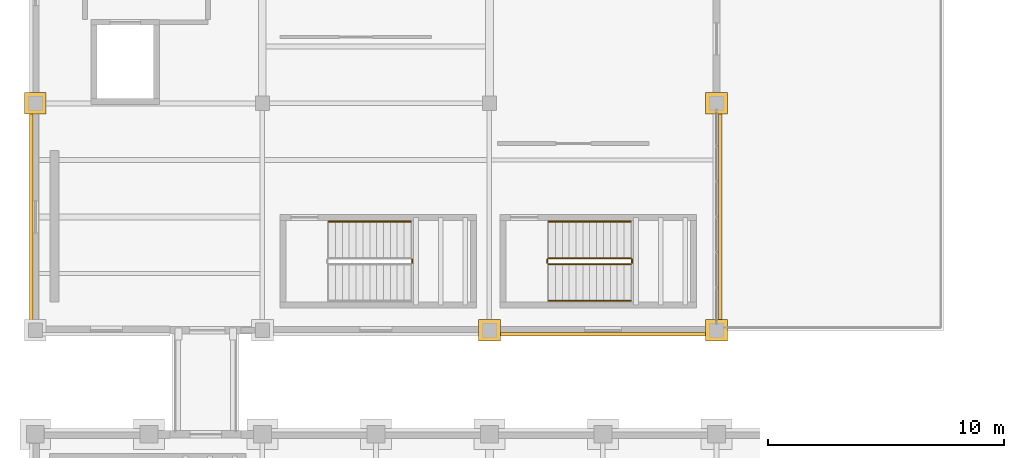
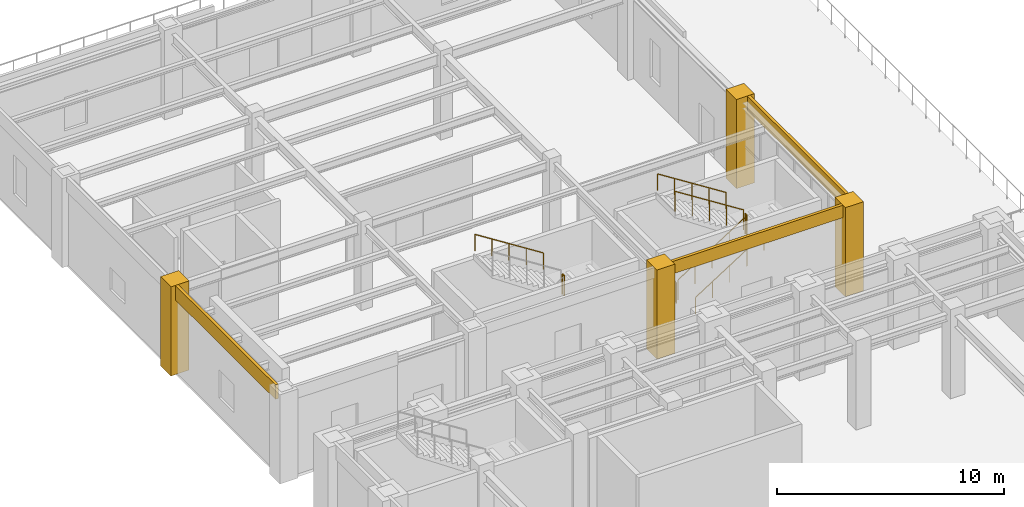
# One storey, part 77 of 83: 8 railings, 7 coverings.
"""IFC4 building model written with IfcOpenShell, lengths in metres."""

from ifc_helpers import new_model, si_unit, direction, frame, origin, origin_2d, place, context, subcontext, project, spatial, polyline, circle, outline, extrude, material, layer, layer_set, type_object, element, save


model = new_model("IFC4")

# Units and contexts
model_context = context("Model", 3, precision=1e-05, world=origin(), true_north=direction((0.0, 1.0)))
body_context = subcontext(model_context, "Body", "Model", "MODEL_VIEW")
ifc_project = project(units=[si_unit("LENGTHUNIT", "METRE"), si_unit("AREAUNIT", "SQUARE_METRE"), si_unit("VOLUMEUNIT", "CUBIC_METRE"), si_unit("PLANEANGLEUNIT", "RADIAN"), si_unit("MASSUNIT", "GRAM", prefix="KILO")], contexts=[model_context])

# Site, building, storey
site_placement = place(None, origin())
site = spatial("IfcSite", under=ifc_project, at=site_placement, CompositionType="ELEMENT")
building_placement = place(site_placement, origin())
building = spatial("IfcBuilding", under=site, at=building_placement, Name="Mavantir Sound Aquarium", CompositionType="ELEMENT")
storey_placement = place(building_placement, frame((0.0, 0.0, 10.5)))
storey = spatial("IfcBuildingStorey", under=building, at=storey_placement, Name="L02", CompositionType="ELEMENT", Elevation=10.5)

# Coverings
ifc_material_1 = material(Name="Honed Coral-Limestone & Glazed Terracotta Rainscreen Cladding", Category="masonry")
ifc_layer = layer(ifc_material_1, 0.06005859375, Name="Honed Coral-Limestone & Glazed Terracotta Rainscreen Cladding")
ifc_layer_set = layer_set([ifc_layer], Name="Honed Coral-Limestone & Glazed Terracotta Rainscreen Cladding")
covering_type = type_object("IfcCoveringType", Name="COV-CLAD-TC", PredefinedType="CLADDING", material=ifc_layer_set)
covering_1_placement = place(storey_placement, frame((0.0, 0.0, 4.01904296875)))
element("IfcCovering", 1, at=covering_1_placement, inside=storey, type_object=covering_type, Name="L02 Postmodern coral-limestone spandrel frieze 376", PredefinedType="CLADDING", context=body_context, shape_type="SweptSolid", body=[
    extrude(outline(polyline([(28.889892578125, 83.907958984375), (28.889892578125, 92.89208984375), (29.0400390625, 92.89208984375), (29.0400390625, 83.907958984375), (28.889892578125, 83.907958984375)])), origin(), (0.0, 0.0, 1.0), 0.781005859375),
])
covering_2_placement = place(storey_placement, frame((0.0, 0.0, 4.01904296875)))
element("IfcCovering", 2, at=covering_2_placement, inside=storey, type_object=covering_type, Name="L02 Postmodern coral-limestone spandrel frieze 385", PredefinedType="CLADDING", context=body_context, shape_type="SweptSolid", body=[
    extrude(outline(polyline([(-0.090087890625, 92.89208984375), (-0.090087890625, 83.907958984375), (-0.239990234375, 83.907958984375), (-0.239990234375, 92.89208984375), (-0.090087890625, 92.89208984375)])), origin(), (0.0, 0.0, 1.0), 0.781005859375),
])
covering_3_placement = place(storey_placement, frame((0.0, 0.0, 4.1279296875)))
element("IfcCovering", 3, at=covering_3_placement, inside=storey, type_object=covering_type, Name="L02 Postmodern coral-limestone spandrel frieze 388", PredefinedType="CLADDING", context=body_context, shape_type="SweptSolid", body=[
    extrude(outline(polyline([(19.508056640625, 83.510009765625), (28.491943359375, 83.510009765625), (28.491943359375, 83.360107421875), (19.508056640625, 83.360107421875), (19.508056640625, 83.510009765625)])), origin(), (0.0, 0.0, 1.0), 0.672119140625),
])
covering_4_placement = place(storey_placement, origin())
element("IfcCovering", 4, at=covering_4_placement, inside=storey, type_object=covering_type, Name="L02 Postmodern coral-limestone pilaster casing 351", PredefinedType="CLADDING", context=body_context, shape_type="SweptSolid", body=[
    extrude(outline(polyline([(-0.4599609375, 92.739990234375), (0.4599609375, 92.739990234375), (0.4599609375, 93.659912109375), (-0.4599609375, 93.659912109375), (-0.4599609375, 92.739990234375)])), origin(), (0.0, 0.0, 1.0), 4.800048828125),
])
covering_5_placement = place(storey_placement, origin())
element("IfcCovering", 5, at=covering_5_placement, inside=storey, type_object=covering_type, Name="L02 Postmodern coral-limestone pilaster casing 380", PredefinedType="CLADDING", context=body_context, shape_type="SweptSolid", body=[
    extrude(outline(polyline([(18.739990234375, 83.139892578125), (19.659912109375, 83.139892578125), (19.659912109375, 84.06005859375), (18.739990234375, 84.06005859375), (18.739990234375, 83.139892578125)])), origin(), (0.0, 0.0, 1.0), 4.800048828125),
])
covering_6_placement = place(storey_placement, origin())
element("IfcCovering", 6, at=covering_6_placement, inside=storey, type_object=covering_type, Name="L02 Postmodern coral-limestone pilaster casing 392", PredefinedType="CLADDING", context=body_context, shape_type="SweptSolid", body=[
    extrude(outline(polyline([(28.340087890625, 83.139892578125), (29.260009765625, 83.139892578125), (29.260009765625, 84.06005859375), (28.340087890625, 84.06005859375), (28.340087890625, 83.139892578125)])), origin(), (0.0, 0.0, 1.0), 4.800048828125),
])
covering_7_placement = place(storey_placement, origin())
element("IfcCovering", 7, at=covering_7_placement, inside=storey, type_object=covering_type, Name="L02 Postmodern coral-limestone pilaster casing 396", PredefinedType="CLADDING", context=body_context, shape_type="SweptSolid", body=[
    extrude(outline(polyline([(28.340087890625, 92.739990234375), (29.260009765625, 92.739990234375), (29.260009765625, 93.659912109375), (28.340087890625, 93.659912109375), (28.340087890625, 92.739990234375)])), origin(), (0.0, 0.0, 1.0), 4.800048828125),
])

# Railings
ifc_material_2 = material(Name="Stainless Steel 316 and Laminated Glass Guardrail", Category="steel")
railing_type_1 = type_object("IfcRailingType", Name="RL-GUARD-110", PredefinedType="GUARDRAIL", material=ifc_material_2)
railing_1_placement = place(storey_placement, frame((15.929931640625, 86.449951171875, 2.39990234375)))
element("IfcRailing", 8, at=railing_1_placement, inside=storey, type_object=railing_type_1, Name="L02 ST5 stair guard 2", PredefinedType="GUARDRAIL", context=body_context, shape_type="SweptSolid", body=[
    extrude(circle(Radius=0.02392578125, at=origin_2d()), frame((0.0, 0.0, 1.076171875), z_axis=(0.0, 1.0, 0.0), x_axis=(-1.0, 0.0, 0.0)), (0.0, 0.0, 1.0), 0.150146484375),
    extrude(circle(Radius=0.02099609375, at=origin_2d()), origin(), (0.0, 0.0, 1.0), 1.052001953125),
    extrude(circle(Radius=0.02099609375, at=origin_2d()), frame((0.0, 0.150146484375, 0.0)), (0.0, 0.0, 1.0), 1.052001953125),
])
railing_2_placement = place(storey_placement, frame((21.699951171875, 86.39990234375, 0.1845703125)))
element("IfcRailing", 9, at=railing_2_placement, inside=storey, type_object=railing_type_1, Name="L02 ST7 stair guard 1", PredefinedType="GUARDRAIL", context=body_context, shape_type="SweptSolid", body=[
    extrude(circle(Radius=0.02392578125, at=origin_2d()), frame((0.0, 0.0, 1.076171875), z_axis=(0.843573748531, 0.0, 0.537013343214), x_axis=(0.0, 1.0, 0.0)), (0.0, 0.0, 1.0), 4.125244140625),
    extrude(circle(Radius=0.02099609375, at=origin_2d()), origin(), (0.0, 0.0, 1.0), 1.052001953125),
    extrude(circle(Radius=0.02099609375, at=origin_2d()), frame((0.8701171875, 0.0, 0.5537109375)), (0.0, 0.0, 1.0), 1.052001953125),
    extrude(circle(Radius=0.02099609375, at=origin_2d()), frame((1.739990234375, 0.0, 1.107666015625)), (0.0, 0.0, 1.0), 1.052001953125),
    extrude(circle(Radius=0.02099609375, at=origin_2d()), frame((2.60986328125, 0.0, 1.66162109375)), (0.0, 0.0, 1.0), 1.052001953125),
    extrude(circle(Radius=0.02099609375, at=origin_2d()), frame((3.47998046875, 0.0, 2.21533203125)), (0.0, 0.0, 1.0), 1.052001953125),
])
railing_3_placement = place(storey_placement, frame((25.22998046875, 86.449951171875, 2.39990234375)))
element("IfcRailing", 10, at=railing_3_placement, inside=storey, type_object=railing_type_1, Name="L02 ST7 stair guard 2", PredefinedType="GUARDRAIL", context=body_context, shape_type="SweptSolid", body=[
    extrude(circle(Radius=0.02392578125, at=origin_2d()), frame((0.0, 0.0, 1.076171875), z_axis=(0.0, 1.0, 0.0), x_axis=(-1.0, 0.0, 0.0)), (0.0, 0.0, 1.0), 0.150146484375),
    extrude(circle(Radius=0.02099609375, at=origin_2d()), origin(), (0.0, 0.0, 1.0), 1.052001953125),
    extrude(circle(Radius=0.02099609375, at=origin_2d()), frame((0.0, 0.150146484375, 0.0)), (0.0, 0.0, 1.0), 1.052001953125),
])
railing_4_placement = place(storey_placement, frame((25.179931640625, 86.64990234375, 2.584716796875)))
element("IfcRailing", 11, at=railing_4_placement, inside=storey, type_object=railing_type_1, Name="L02 ST7 stair guard 3", PredefinedType="GUARDRAIL", context=body_context, shape_type="SweptSolid", body=[
    extrude(circle(Radius=0.02392578125, at=origin_2d()), frame((0.0, 0.0, 1.076171875), z_axis=(-0.843573748531, 0.0, 0.537013343214), x_axis=(0.0, -1.0, 0.0)), (0.0, 0.0, 1.0), 4.125244140625),
    extrude(circle(Radius=0.02099609375, at=origin_2d()), origin(), (0.0, 0.0, 1.0), 1.052001953125),
    extrude(circle(Radius=0.02099609375, at=origin_2d()), frame((-0.8701171875, 0.0, 0.5537109375)), (0.0, 0.0, 1.0), 1.052001953125),
    extrude(circle(Radius=0.02099609375, at=origin_2d()), frame((-1.739990234375, 0.0, 1.107666015625)), (0.0, 0.0, 1.0), 1.052001953125),
    extrude(circle(Radius=0.02099609375, at=origin_2d()), frame((-2.60986328125, 0.0, 1.66162109375)), (0.0, 0.0, 1.0), 1.052001953125),
    extrude(circle(Radius=0.02099609375, at=origin_2d()), frame((-3.47998046875, 0.0, 2.21533203125)), (0.0, 0.0, 1.0), 1.052001953125),
])
railing_5_placement = place(storey_placement, frame((21.64990234375, 86.449951171875, 0.0)))
element("IfcRailing", 12, at=railing_5_placement, inside=storey, type_object=railing_type_1, Name="L02 ST7 stair guard 4", PredefinedType="GUARDRAIL", context=body_context, shape_type="SweptSolid", body=[
    extrude(circle(Radius=0.02392578125, at=origin_2d()), frame((0.0, 0.0, 1.076171875), z_axis=(0.0, 1.0, 0.0), x_axis=(-1.0, 0.0, 0.0)), (0.0, 0.0, 1.0), 0.150146484375),
    extrude(circle(Radius=0.02099609375, at=origin_2d()), origin(), (0.0, 0.0, 1.0), 1.052001953125),
    extrude(circle(Radius=0.02099609375, at=origin_2d()), frame((0.0, 0.150146484375, 0.0)), (0.0, 0.0, 1.0), 1.052001953125),
])
ifc_material_3 = material(Name="Brushed Stainless Steel 316 Handrail", Category="steel")
railing_type_2 = type_object("IfcRailingType", Name="RL-HR-90", PredefinedType="HANDRAIL", material=ifc_material_3)
railing_6_placement = place(storey_placement, frame((15.8798828125, 88.199951171875, 2.76953125)))
element("IfcRailing", 13, at=railing_6_placement, inside=storey, type_object=railing_type_2, Name="L02 ST5 stair handrail 2", PredefinedType="HANDRAIL", context=body_context, shape_type="SweptSolid", body=[
    extrude(circle(Radius=0.02392578125, at=origin_2d()), frame((0.0, 0.0, 0.89111328125), z_axis=(-0.843546938479, 0.0, 0.53705545578), x_axis=(0.0, -1.0, 0.0)), (0.0, 0.0, 1.0), 4.12548828125),
    extrude(circle(Radius=0.02099609375, at=origin_2d()), origin(), (0.0, 0.0, 1.0), 0.866943359375),
    extrude(circle(Radius=0.02099609375, at=origin_2d()), frame((-0.8701171875, 0.0, 0.553955078125)), (0.0, 0.0, 1.0), 0.866943359375),
    extrude(circle(Radius=0.02099609375, at=origin_2d()), frame((-1.739990234375, 0.0, 1.10791015625)), (0.0, 0.0, 1.0), 0.866943359375),
    extrude(circle(Radius=0.02099609375, at=origin_2d()), frame((-2.60986328125, 0.0, 1.66162109375)), (0.0, 0.0, 1.0), 0.866943359375),
    extrude(circle(Radius=0.02099609375, at=origin_2d()), frame((-3.47998046875, 0.0, 2.215576171875)), (0.0, 0.0, 1.0), 0.866943359375),
])
railing_7_placement = place(storey_placement, frame((21.699951171875, 84.85009765625, 0.36962890625)))
element("IfcRailing", 14, at=railing_7_placement, inside=storey, type_object=railing_type_2, Name="L02 ST7 stair handrail 1", PredefinedType="HANDRAIL", context=body_context, shape_type="SweptSolid", body=[
    extrude(circle(Radius=0.02392578125, at=origin_2d()), frame((0.0, 0.0, 0.89111328125), z_axis=(0.843573748531, 0.0, 0.537013343214), x_axis=(0.0, 1.0, 0.0)), (0.0, 0.0, 1.0), 4.125244140625),
    extrude(circle(Radius=0.02099609375, at=origin_2d()), origin(), (0.0, 0.0, 1.0), 0.866943359375),
    extrude(circle(Radius=0.02099609375, at=origin_2d()), frame((0.8701171875, 0.0, 0.5537109375)), (0.0, 0.0, 1.0), 0.866943359375),
    extrude(circle(Radius=0.02099609375, at=origin_2d()), frame((1.739990234375, 0.0, 1.107666015625)), (0.0, 0.0, 1.0), 0.866943359375),
    extrude(circle(Radius=0.02099609375, at=origin_2d()), frame((2.60986328125, 0.0, 1.66162109375)), (0.0, 0.0, 1.0), 0.866943359375),
    extrude(circle(Radius=0.02099609375, at=origin_2d()), frame((3.47998046875, 0.0, 2.21533203125)), (0.0, 0.0, 1.0), 0.866943359375),
])
railing_8_placement = place(storey_placement, frame((25.179931640625, 88.199951171875, 2.76953125)))
element("IfcRailing", 15, at=railing_8_placement, inside=storey, type_object=railing_type_2, Name="L02 ST7 stair handrail 2", PredefinedType="HANDRAIL", context=body_context, shape_type="SweptSolid", body=[
    extrude(circle(Radius=0.02392578125, at=origin_2d()), frame((0.0, 0.0, 0.89111328125), z_axis=(-0.843546938479, 0.0, 0.53705545578), x_axis=(0.0, -1.0, 0.0)), (0.0, 0.0, 1.0), 4.12548828125),
    extrude(circle(Radius=0.02099609375, at=origin_2d()), origin(), (0.0, 0.0, 1.0), 0.866943359375),
    extrude(circle(Radius=0.02099609375, at=origin_2d()), frame((-0.8701171875, 0.0, 0.553955078125)), (0.0, 0.0, 1.0), 0.866943359375),
    extrude(circle(Radius=0.02099609375, at=origin_2d()), frame((-1.739990234375, 0.0, 1.10791015625)), (0.0, 0.0, 1.0), 0.866943359375),
    extrude(circle(Radius=0.02099609375, at=origin_2d()), frame((-2.60986328125, 0.0, 1.66162109375)), (0.0, 0.0, 1.0), 0.866943359375),
    extrude(circle(Radius=0.02099609375, at=origin_2d()), frame((-3.47998046875, 0.0, 2.215576171875)), (0.0, 0.0, 1.0), 0.866943359375),
])

save(model, "model.ifc")
